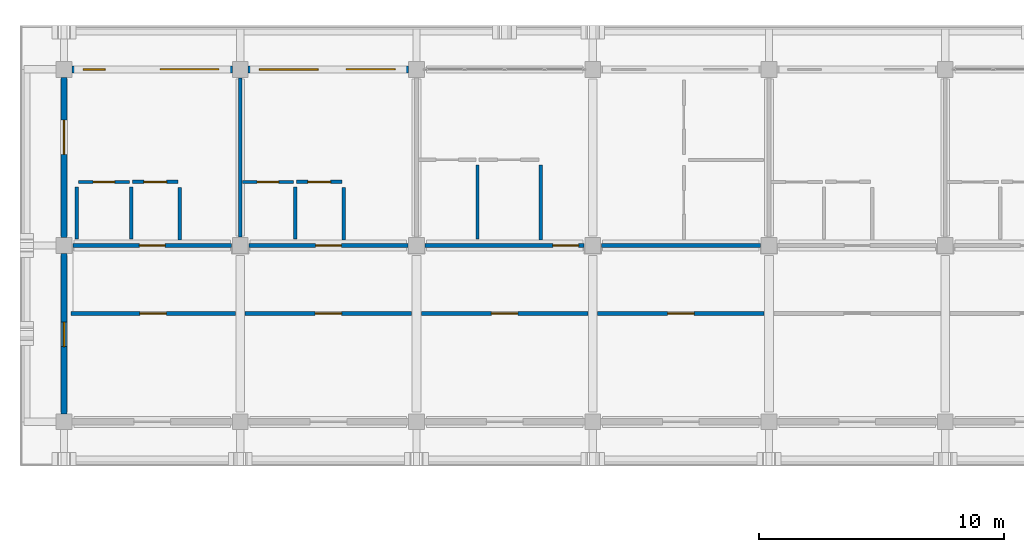
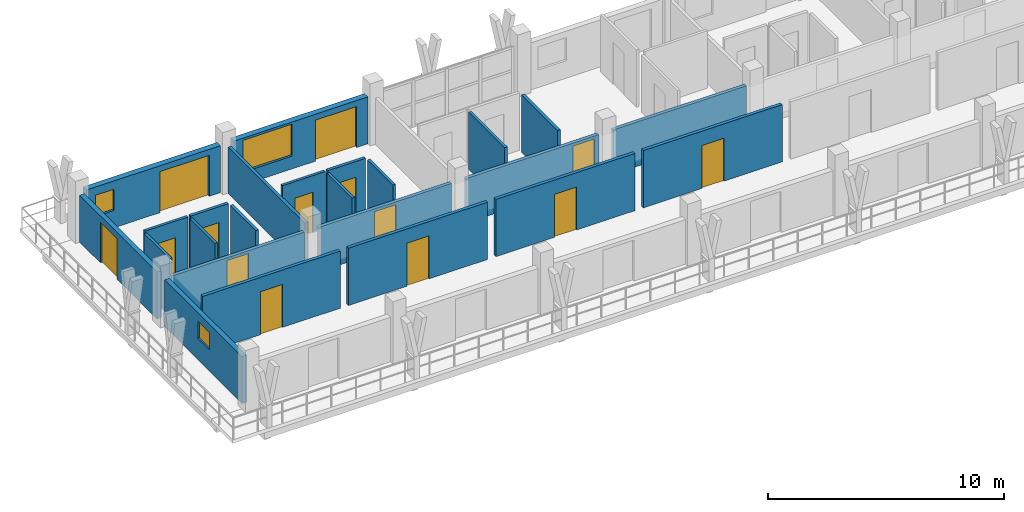
# One storey, part 120 of 157: 24 walls, 14 doors, 3 windows, 17 openings.
"""IFC4 building model written with IfcOpenShell, lengths in metres."""

import ifcopenshell
import ifcopenshell.guid

model = None  # the IFC model being written
_history = None  # IfcOwnerHistory: only IFC2X3 demands one
_inside = {}  # id of a spatial element -> (the spatial element, [elements in it])
_under = {}  # id of a project, library or spatial element -> (it, [spatial elements below it])
_declared = {}  # id of a project -> (the project, [libraries it declares])
_typed = {}  # id of a type object -> (the type object, [elements of that type])
_made_of = {}  # id of a material, layer set ... -> (it, [elements and type objects made of it])


def new_model(schema):
    """Start an empty IFC model of exactly this schema.

    Asked for "IFC4X3", IfcOpenShell would pick the latest addendum, in which some entities
    have other attributes; the version numbers below select the first issue.
    IFC2X3 requires an IfcOwnerHistory on every rooted entity: one is made here for all.
    """
    global model, _history
    if schema == "IFC4X3":
        model = ifcopenshell.file(schema_version=(4, 3, 0, 0))
    else:
        model = ifcopenshell.file(schema=schema)
    _inside.clear()
    _under.clear()
    _declared.clear()
    _typed.clear()
    _made_of.clear()
    _history = None
    if model.schema == "IFC2X3":
        org = make("IfcOrganization", Name="unknown")
        user = make(
            "IfcPersonAndOrganization",
            ThePerson=make("IfcPerson", FamilyName="unknown"),
            TheOrganization=org,
        )
        app = make(
            "IfcApplication",
            ApplicationDeveloper=org,
            Version="unknown",
            ApplicationFullName="unknown",
            ApplicationIdentifier="unknown",
        )
        _history = make(
            "IfcOwnerHistory",
            OwningUser=user,
            OwningApplication=app,
            ChangeAction="ADDED",
            CreationDate=0,
        )
    return model


def make(cls, **values):
    """One entity of the class cls with the attributes given. An attribute that is None is left unset."""
    return model.create_entity(
        cls, **{name: value for name, value in values.items() if value is not None}
    )


def rooted(cls, **values):
    """An entity with a GlobalId (a new one), such as an element, a storey or a relation."""
    return make(cls, GlobalId=ifcopenshell.guid.new(), OwnerHistory=_history, **values)


def si_unit(unit_type, name, prefix=None):
    """IfcSIUnit, for example si_unit("LENGTHUNIT", "METRE", prefix="MILLI")."""
    return make("IfcSIUnit", UnitType=unit_type, Prefix=prefix, Name=name)


def assignment(units):
    """IfcUnitAssignment: the units of a project."""
    return None if units is None else make("IfcUnitAssignment", Units=units)


def point(xyz):
    """IfcCartesianPoint."""
    return None if xyz is None else make("IfcCartesianPoint", Coordinates=xyz)


def direction(xyz):
    """IfcDirection."""
    return None if xyz is None else make("IfcDirection", DirectionRatios=xyz)


def frame(location, z_axis=None, x_axis=None):
    """IfcAxis2Placement3D, a coordinate frame: its origin and axes. An axis left out is left unset."""
    return make(
        "IfcAxis2Placement3D",
        Location=point(location),
        Axis=direction(z_axis),
        RefDirection=direction(x_axis),
    )


def frame_2d(location, x_axis=None):
    """IfcAxis2Placement2D, a coordinate frame in the plane: its origin and x axis."""
    return make(
        "IfcAxis2Placement2D", Location=point(location), RefDirection=direction(x_axis)
    )


def origin():
    """The frame at (0, 0, 0) with its axes left unset."""
    return frame((0.0, 0.0, 0.0))


def place(relative_to, where):
    """IfcLocalPlacement: puts the frame where relative to a parent placement (None: the world)."""
    return make(
        "IfcLocalPlacement", PlacementRelTo=relative_to, RelativePlacement=where
    )


def context(
    kind, dimensions, precision=None, world=None, true_north=None, identifier=None
):
    """IfcGeometricRepresentationContext, for example the 3D "Model" context."""
    return make(
        "IfcGeometricRepresentationContext",
        ContextIdentifier=identifier,
        ContextType=kind,
        CoordinateSpaceDimension=dimensions,
        Precision=precision,
        WorldCoordinateSystem=world,
        TrueNorth=true_north,
    )


def subcontext(parent, identifier, kind, view, scale=None):
    """IfcGeometricRepresentationSubContext, for example "Body" below "Model"."""
    return make(
        "IfcGeometricRepresentationSubContext",
        ContextIdentifier=identifier,
        ContextType=kind,
        ParentContext=parent,
        TargetScale=scale,
        TargetView=view,
    )


def project(units=None, contexts=None):
    """IfcProject with its units and contexts."""
    return rooted(
        "IfcProject",
        Name="project",
        RepresentationContexts=contexts,
        UnitsInContext=assignment(units),
    )


def spatial(cls, under=None, at=None, **own):
    """A site, building, storey or space (cls), placed at a placement, below another one or the project."""
    s = rooted(cls, ObjectPlacement=at, **own)
    if under is not None:
        _under.setdefault(under.id(), (under, []))[1].append(s)
    return s


def profile(cls, at=None, kind="AREA", **sizes):
    """A parametric profile (cls). Its sizes go by their IFC names, for example OverallWidth=200.0."""
    return make(cls, ProfileType=kind, Position=at, **sizes)


def rectangle(**sizes):
    """IfcRectangleProfileDef."""
    return profile("IfcRectangleProfileDef", **sizes)


def extrude(swept, where, along, depth):
    """IfcExtrudedAreaSolid: the profile swept, set in the frame where, extruded along a direction by depth."""
    return make(
        "IfcExtrudedAreaSolid",
        SweptArea=swept,
        Position=where,
        ExtrudedDirection=direction(along),
        Depth=depth,
    )


def shape(context_of_items, identifier, shape_type, items):
    """IfcShapeRepresentation: the items that make up one representation, for example the "Body"."""
    return make(
        "IfcShapeRepresentation",
        ContextOfItems=context_of_items,
        RepresentationIdentifier=identifier,
        RepresentationType=shape_type,
        Items=items,
    )


def material(Name=None, Category=None):
    """IfcMaterial."""
    return make("IfcMaterial", Name=Name, Category=Category)


def layer(
    of_material, thickness, ventilated=None, Name=None, Category=None, Priority=None
):
    """IfcMaterialLayer: one layer of a wall or slab, of a material (None: an air gap)."""
    return make(
        "IfcMaterialLayer",
        Material=of_material,
        LayerThickness=thickness,
        IsVentilated=ventilated,
        Name=Name,
        Category=Category,
        Priority=Priority,
    )


def layer_set(layers, Name=None):
    """IfcMaterialLayerSet."""
    return make("IfcMaterialLayerSet", MaterialLayers=layers, LayerSetName=Name)


def made_of(thing, what):
    """Note that an element or type object is made of a material, layer set ...; save() writes the relation."""
    if what is not None:
        _made_of.setdefault(what.id(), (what, []))[1].append(thing)
    return thing


def type_object(cls, material=None, **own):
    """A type object (cls), such as IfcWallType, which elements share."""
    return made_of(rooted(cls, **own), material)


def element(
    cls,
    number,
    at=None,
    inside=None,
    cuts=None,
    type_object=None,
    material=None,
    context=None,
    identifier="Body",
    shape_type=None,
    held_by="IfcProductDefinitionShape",
    body=None,
    shapes=None,
    **own,
):
    """One element of the class cls, such as IfcWall. Its Tag is "e" and its number.

    at: its placement. inside: the storey or other place that contains it. cuts: it is an
    opening in that element (IfcRelVoidsElement). A single representation is given by context,
    identifier, shape_type and body (its items); several are given by shapes. held_by: the class
    of the entity that holds the representations. save() writes the other relations.
    """
    e = rooted(cls, Tag="e%d" % number, ObjectPlacement=at, **own)
    if body is not None:
        shapes = [shape(context, identifier, shape_type, body)]
    if shapes is not None:
        e.Representation = make(held_by, Representations=shapes)
    if inside is not None:
        _inside.setdefault(inside.id(), (inside, []))[1].append(e)
    if cuts is not None:
        rooted(
            "IfcRelVoidsElement", RelatingBuildingElement=cuts, RelatedOpeningElement=e
        )
    if type_object is not None:
        _typed.setdefault(type_object.id(), (type_object, []))[1].append(e)
    return made_of(e, material)


def fill(opening, filler):
    """IfcRelFillsElement: the door or window that sits in an opening."""
    return rooted(
        "IfcRelFillsElement",
        RelatingOpeningElement=opening,
        RelatedBuildingElement=filler,
    )


def aggregate(whole, parts):
    """IfcRelAggregates: a whole, such as a stair, and the parts it consists of."""
    return rooted("IfcRelAggregates", RelatingObject=whole, RelatedObjects=parts)


def save(model, path):
    """Write the relations noted so far, then the file.

    IfcRelAggregates (storeys below a building ...), IfcRelContainedInSpatialStructure (elements
    in a storey), IfcRelDefinesByType, IfcRelAssociatesMaterial and IfcRelDeclares: one each for
    every whole, place, type object, material and project.
    """
    for whole, parts in _under.values():
        aggregate(whole, parts)
    for where, things in _inside.values():
        rooted(
            "IfcRelContainedInSpatialStructure",
            RelatedElements=things,
            RelatingStructure=where,
        )
    for kind, things in _typed.values():
        rooted("IfcRelDefinesByType", RelatedObjects=things, RelatingType=kind)
    for what, things in _made_of.values():
        rooted("IfcRelAssociatesMaterial", RelatedObjects=things, RelatingMaterial=what)
    for by, libraries in _declared.values():
        rooted("IfcRelDeclares", RelatingContext=by, RelatedDefinitions=libraries)
    model.write(path)


model = new_model("IFC4")

# Units and contexts
model_context = context("Model", 3, precision=1e-05, world=origin(), true_north=direction((0.0, 1.0)))
body_context = subcontext(model_context, "Body", "Model", "MODEL_VIEW")
ifc_project = project(units=[si_unit("LENGTHUNIT", "METRE"), si_unit("AREAUNIT", "SQUARE_METRE"), si_unit("VOLUMEUNIT", "CUBIC_METRE"), si_unit("PLANEANGLEUNIT", "RADIAN"), si_unit("MASSUNIT", "GRAM", prefix="KILO")], contexts=[model_context])

# Site, building, storey
site_placement = place(None, origin())
site = spatial("IfcSite", under=ifc_project, at=site_placement, CompositionType="ELEMENT")
building_placement = place(site_placement, origin())
building = spatial("IfcBuilding", under=site, at=building_placement, Name="Suanplinth Sawtooth Commons", CompositionType="ELEMENT")
storey_placement = place(building_placement, frame((0.0, 0.0, 9.0)))
storey = spatial("IfcBuildingStorey", under=building, at=storey_placement, Name="L02", CompositionType="ELEMENT", Elevation=9.0)

# Wall, openings, door, window
ifc_material_1 = material(Name="Precast concrete C40/50", Category="concrete")
ifc_layer_1 = layer(ifc_material_1, 0.280029296875, Name="Insulated precast architectural facade wall 280mm")
ifc_layer_set_1 = layer_set([ifc_layer_1], Name="Precast concrete C40/50")
wall_type_1 = type_object("IfcWallType", Name="W-EX01", PredefinedType="ELEMENTEDWALL", material=ifc_layer_set_1)
wall_1_placement = place(storey_placement, frame((0.324951171875, 122.39990234375, 0.0), z_axis=(0.0, 0.0, 1.0), x_axis=(1.0, 0.0, 0.0)))
wall_1 = element("IfcWall", 1, at=wall_1_placement, inside=storey, type_object=wall_type_1, Name="Facade Wall W-L02-A-N-0", PredefinedType="ELEMENTEDWALL", context=body_context, shape_type="SweptSolid", body=[
    extrude(rectangle(XDim=6.550048828125, YDim=0.280029296875, at=frame_2d((3.27490234375, 0.0))), origin(), (0.0, 0.0, 1.0), 2.425048828125),
])
opening_1_placement = place(wall_1_placement, frame((3.60009765625, 0.0, 0.0)))
opening_1 = element("IfcOpeningElement", 2, at=opening_1_placement, cuts=wall_1, Name="Opening ED0129", PredefinedType="OPENING", context=body_context, shape_type="SweptSolid", body=[
    extrude(rectangle(XDim=2.39990234375, YDim=2.1201171875, at=frame_2d((1.199951171875, 1.06005859375))), frame((0.0, 0.15478515625, 0.0), z_axis=(0.0, -1.0, 0.0), x_axis=(1.0, 0.0, 0.0)), (0.0, 0.0, 1.0), 0.309814453125),
])
opening_2_placement = place(wall_1_placement, frame((0.449951171875, 0.0, 0.89990234375)))
opening_2 = element("IfcOpeningElement", 3, at=opening_2_placement, cuts=wall_1, Name="Opening W0250", PredefinedType="OPENING", context=body_context, shape_type="SweptSolid", body=[
    extrude(rectangle(XDim=0.89990234375, YDim=1.10009765625, at=frame_2d((0.449951171875, 0.550048828125))), frame((0.0, 0.15478515625, 0.0), z_axis=(0.0, -1.0, 0.0), x_axis=(1.0, 0.0, 0.0)), (0.0, 0.0, 1.0), 0.309814453125),
])
ifc_material_2 = material(Name="Anodized aluminium and low-E glass", Category="aluminium")
door_type_1 = type_object("IfcDoorType", Name="SD-04", OperationType="DOUBLE_DOOR_SLIDING", PredefinedType="DOOR", material=ifc_material_2)
door_1_placement = place(opening_1_placement, frame((2.39990234375, 0.0, 0.0), z_axis=(0.0, 0.0, 1.0), x_axis=(-1.0, 0.0, 0.0)))
door_1 = element("IfcDoor", 4, at=door_1_placement, inside=storey, type_object=door_type_1, Name="Balcony Sliding Door L02-A-N-0", OperationType="DOUBLE_DOOR_SLIDING", OverallHeight=2.1201171875, OverallWidth=2.39990234375, PredefinedType="DOOR", context=body_context, shape_type="SweptSolid", body=[
    extrude(rectangle(XDim=2.39990234375, YDim=2.1201171875, at=frame_2d((1.199951171875, 1.06005859375))), frame((0.0, 0.02490234375, 0.0), z_axis=(0.0, -1.0, 0.0), x_axis=(1.0, 0.0, 0.0)), (0.0, 0.0, 1.0), 0.050048828125),
])
fill(opening_1, door_1)
ifc_material_3 = material(Name="Thermally broken aluminium and low-E double glazing", Category="aluminium")
window_type_1 = type_object("IfcWindowType", Name="WN-04", PartitioningType="SINGLE_PANEL", PredefinedType="WINDOW", material=ifc_material_3)
window_1_placement = place(opening_2_placement, origin())
window_1 = element("IfcWindow", 5, at=window_1_placement, inside=storey, type_object=window_type_1, Name="Window L02-A-N-0", OverallHeight=1.10009765625, OverallWidth=0.89990234375, PartitioningType="SINGLE_PANEL", PredefinedType="WINDOW", context=body_context, shape_type="SweptSolid", body=[
    extrude(rectangle(XDim=0.89990234375, YDim=1.10009765625, at=frame_2d((0.449951171875, 0.550048828125))), frame((0.0, 0.030029296875, 0.0), z_axis=(0.0, -1.0, 0.0), x_axis=(1.0, 0.0, 0.0)), (0.0, 0.0, 1.0), 0.06005859375),
])
fill(opening_2, window_1)

wall_2_placement = place(storey_placement, frame((7.52490234375, 122.39990234375, 0.0), z_axis=(0.0, 0.0, 1.0), x_axis=(1.0, 0.0, 0.0)))
wall_2 = element("IfcWall", 6, at=wall_2_placement, inside=storey, type_object=wall_type_1, Name="Facade Wall W-L02-A-N-1", PredefinedType="ELEMENTEDWALL", context=body_context, shape_type="SweptSolid", body=[
    extrude(rectangle(XDim=6.550048828125, YDim=0.280029296875, at=frame_2d((3.27490234375, 0.0))), origin(), (0.0, 0.0, 1.0), 2.425048828125),
])
opening_3_placement = place(wall_2_placement, frame((4.0, 0.0, 0.0)))
opening_3 = element("IfcOpeningElement", 7, at=opening_3_placement, cuts=wall_2, Name="Opening ED0131", PredefinedType="OPENING", context=body_context, shape_type="SweptSolid", body=[
    extrude(rectangle(XDim=2.0, YDim=2.1201171875, at=frame_2d((1.0, 1.06005859375))), frame((0.0, 0.15478515625, 0.0), z_axis=(0.0, -1.0, 0.0), x_axis=(1.0, 0.0, 0.0)), (0.0, 0.0, 1.0), 0.309814453125),
])
opening_4_placement = place(wall_2_placement, frame((0.449951171875, 0.0, 0.6650390625)))
opening_4 = element("IfcOpeningElement", 8, at=opening_4_placement, cuts=wall_2, Name="Opening W0251", PredefinedType="OPENING", context=body_context, shape_type="SweptSolid", body=[
    extrude(rectangle(XDim=2.39990234375, YDim=1.64990234375, at=frame_2d((1.199951171875, 0.824951171875))), frame((0.0, 0.15478515625, 0.0), z_axis=(0.0, -1.0, 0.0), x_axis=(1.0, 0.0, 0.0)), (0.0, 0.0, 1.0), 0.309814453125),
])
door_type_2 = type_object("IfcDoorType", Name="SD-06", OperationType="DOUBLE_DOOR_SLIDING", PredefinedType="DOOR", material=ifc_material_2)
door_2_placement = place(opening_3_placement, frame((2.0, 0.0, 0.0), z_axis=(0.0, 0.0, 1.0), x_axis=(-1.0, 0.0, 0.0)))
door_2 = element("IfcDoor", 9, at=door_2_placement, inside=storey, type_object=door_type_2, Name="Balcony Sliding Door L02-A-N-1", OperationType="DOUBLE_DOOR_SLIDING", OverallHeight=2.1201171875, OverallWidth=2.0, PredefinedType="DOOR", context=body_context, shape_type="SweptSolid", body=[
    extrude(rectangle(XDim=2.0, YDim=2.1201171875, at=frame_2d((1.0, 1.06005859375))), frame((0.0, 0.02490234375, 0.0), z_axis=(0.0, -1.0, 0.0), x_axis=(1.0, 0.0, 0.0)), (0.0, 0.0, 1.0), 0.050048828125),
])
fill(opening_3, door_2)
window_type_2 = type_object("IfcWindowType", Name="WN-05", PartitioningType="TRIPLE_PANEL_VERTICAL", PredefinedType="WINDOW", material=ifc_material_3)
window_2_placement = place(opening_4_placement, origin())
window_2 = element("IfcWindow", 10, at=window_2_placement, inside=storey, type_object=window_type_2, Name="Window L02-A-N-1", OverallHeight=1.64990234375, OverallWidth=2.39990234375, PartitioningType="TRIPLE_PANEL_VERTICAL", PredefinedType="WINDOW", context=body_context, shape_type="SweptSolid", body=[
    extrude(rectangle(XDim=2.39990234375, YDim=1.64990234375, at=frame_2d((1.199951171875, 0.824951171875))), frame((0.0, 0.030029296875, 0.0), z_axis=(0.0, -1.0, 0.0), x_axis=(1.0, 0.0, 0.0)), (0.0, 0.0, 1.0), 0.06005859375),
])
fill(opening_4, window_2)

# Wall, opening, window
ifc_layer_2 = layer(ifc_material_1, 0.22998046875, Name="Stepped terrace insulated precast wall 230mm")
ifc_layer_set_2 = layer_set([ifc_layer_2], Name="Precast concrete C40/50")
wall_type_2 = type_object("IfcWallType", Name="W-EX06", PredefinedType="ELEMENTEDWALL", material=ifc_layer_set_2)
wall_3_placement = place(storey_placement, frame((0.0, 108.324951171875, 0.0), z_axis=(0.0, 0.0, 1.0), x_axis=(0.0, 1.0, 0.0)))
wall_3 = element("IfcWall", 11, at=wall_3_placement, inside=storey, type_object=wall_type_2, Name="End Wall W-L02-A-W-15", PredefinedType="ELEMENTEDWALL", context=body_context, shape_type="SweptSolid", body=[
    extrude(rectangle(XDim=6.550048828125, YDim=0.22998046875, at=frame_2d((3.27490234375, 0.0))), origin(), (0.0, 0.0, 1.0), 2.425048828125),
])
opening_5_placement = place(wall_3_placement, frame((2.75, 0.0, 1.10009765625)))
opening_5 = element("IfcOpeningElement", 12, at=opening_5_placement, cuts=wall_3, Name="Opening W0266", PredefinedType="OPENING", context=body_context, shape_type="SweptSolid", body=[
    extrude(rectangle(XDim=1.0, YDim=0.89990234375, at=frame_2d((0.5, 0.449951171875))), frame((0.0, 0.1298828125, 0.0), z_axis=(0.0, -1.0, 0.0), x_axis=(1.0, 0.0, 0.0)), (0.0, 0.0, 1.0), 0.259765625),
])
window_type_3 = type_object("IfcWindowType", Name="WN-12", PartitioningType="SINGLE_PANEL", PredefinedType="WINDOW", material=ifc_material_3)
window_3_placement = place(opening_5_placement, origin())
window_3 = element("IfcWindow", 13, at=window_3_placement, inside=storey, type_object=window_type_3, Name="End Window L02-A-W-15", OverallHeight=0.89990234375, OverallWidth=1.0, PartitioningType="SINGLE_PANEL", PredefinedType="WINDOW", context=body_context, shape_type="SweptSolid", body=[
    extrude(rectangle(XDim=1.0, YDim=0.89990234375, at=frame_2d((0.5, 0.449951171875))), frame((0.0, 0.030029296875, 0.0), z_axis=(0.0, -1.0, 0.0), x_axis=(1.0, 0.0, 0.0)), (0.0, 0.0, 1.0), 0.06005859375),
])
fill(opening_5, window_3)

# Wall, opening, door
wall_4_placement = place(storey_placement, frame((0.0, 115.52490234375, 0.0), z_axis=(0.0, 0.0, 1.0), x_axis=(0.0, 1.0, 0.0)))
wall_4 = element("IfcWall", 14, at=wall_4_placement, inside=storey, type_object=wall_type_2, Name="End Wall W-L02-A-W-16", PredefinedType="ELEMENTEDWALL", context=body_context, shape_type="SweptSolid", body=[
    extrude(rectangle(XDim=6.550048828125, YDim=0.22998046875, at=frame_2d((3.27490234375, 0.0))), origin(), (0.0, 0.0, 1.0), 2.425048828125),
])
opening_6_placement = place(wall_4_placement, frame((3.39990234375, 0.0, 0.0)))
opening_6 = element("IfcOpeningElement", 15, at=opening_6_placement, cuts=wall_4, Name="Opening ED0153", PredefinedType="OPENING", context=body_context, shape_type="SweptSolid", body=[
    extrude(rectangle(XDim=1.39990234375, YDim=2.10009765625, at=frame_2d((0.699951171875, 1.050048828125))), frame((0.0, 0.1298828125, 0.0), z_axis=(0.0, -1.0, 0.0), x_axis=(1.0, 0.0, 0.0)), (0.0, 0.0, 1.0), 0.259765625),
])
door_type_3 = type_object("IfcDoorType", Name="SD-07", OperationType="SLIDING_TO_RIGHT", PredefinedType="DOOR", material=ifc_material_2)
door_3_placement = place(opening_6_placement, frame((1.39990234375, 0.0, 0.0), z_axis=(0.0, 0.0, 1.0), x_axis=(-1.0, 0.0, 0.0)))
door_3 = element("IfcDoor", 16, at=door_3_placement, inside=storey, type_object=door_type_3, Name="L02 Block A W End Balcony Door", OperationType="SLIDING_TO_RIGHT", OverallHeight=2.10009765625, OverallWidth=1.39990234375, PredefinedType="DOOR", context=body_context, shape_type="SweptSolid", body=[
    extrude(rectangle(XDim=1.39990234375, YDim=2.10009765625, at=frame_2d((0.699951171875, 1.050048828125))), frame((0.0, 0.02490234375, 0.0), z_axis=(0.0, -1.0, 0.0), x_axis=(1.0, 0.0, 0.0)), (0.0, 0.0, 1.0), 0.050048828125),
])
fill(opening_6, door_3)

ifc_layer_3 = layer(ifc_material_1, 0.159912109375, Name="Fire-rated corridor and lobby wall 160mm")
ifc_layer_set_3 = layer_set([ifc_layer_3], Name="Precast concrete C40/50")
wall_type_3 = type_object("IfcWallType", Name="W-FW01", PredefinedType="PARTITIONING", material=ifc_layer_set_3)
wall_5_placement = place(storey_placement, frame((0.35498046875, 115.199951171875, 0.0), z_axis=(0.0, 0.0, 1.0), x_axis=(1.0, 0.0, 0.0)))
wall_5 = element("IfcWall", 17, at=wall_5_placement, inside=storey, type_object=wall_type_3, Name="W-A-L02-U01-COR", PredefinedType="PARTITIONING", context=body_context, shape_type="SweptSolid", body=[
    extrude(rectangle(XDim=6.489990234375, YDim=0.159912109375, at=frame_2d((3.2451171875, 0.0))), origin(), (0.0, 0.0, 1.0), 2.294921875),
])
opening_7_placement = place(wall_5_placement, frame((2.719970703125, 0.0, 0.0)))
opening_7 = element("IfcOpeningElement", 18, at=opening_7_placement, cuts=wall_5, Name="Opening FD0688", PredefinedType="OPENING", context=body_context, shape_type="SweptSolid", body=[
    extrude(rectangle(XDim=1.050048828125, YDim=2.14990234375, at=frame_2d((0.52490234375, 1.074951171875))), frame((0.0, 0.0947265625, 0.0), z_axis=(0.0, -1.0, 0.0), x_axis=(1.0, 0.0, 0.0)), (0.0, 0.0, 1.0), 0.189697265625),
])
ifc_material_4 = material(Name="Teak hardwood fire-rated door assembly", Category="wood")
door_type_4 = type_object("IfcDoorType", Name="FD-04", OperationType="NOTDEFINED", PredefinedType="DOOR", material=ifc_material_4)
door_4_placement = place(opening_7_placement, origin())
door_4 = element("IfcDoor", 19, at=door_4_placement, inside=storey, type_object=door_type_4, Name="Unit Entrance Door FD0688", OperationType="SINGLE_SWING_RIGHT", OverallHeight=2.14990234375, OverallWidth=1.050048828125, PredefinedType="DOOR", context=body_context, shape_type="SweptSolid", body=[
    extrude(rectangle(XDim=1.050048828125, YDim=2.14990234375, at=frame_2d((0.52490234375, 1.074951171875))), frame((0.0, 0.02490234375, 0.0), z_axis=(0.0, -1.0, 0.0), x_axis=(1.0, 0.0, 0.0)), (0.0, 0.0, 1.0), 0.050048828125),
])
fill(opening_7, door_4)

wall_6_placement = place(storey_placement, frame((7.554931640625, 115.199951171875, 0.0), z_axis=(0.0, 0.0, 1.0), x_axis=(1.0, 0.0, 0.0)))
wall_6 = element("IfcWall", 20, at=wall_6_placement, inside=storey, type_object=wall_type_3, Name="W-A-L02-U02-COR", PredefinedType="PARTITIONING", context=body_context, shape_type="SweptSolid", body=[
    extrude(rectangle(XDim=6.489990234375, YDim=0.159912109375, at=frame_2d((3.2451171875, 0.0))), origin(), (0.0, 0.0, 1.0), 2.294921875),
])
opening_8_placement = place(wall_6_placement, frame((2.719970703125, 0.0, 0.0)))
opening_8 = element("IfcOpeningElement", 21, at=opening_8_placement, cuts=wall_6, Name="Opening FD0691", PredefinedType="OPENING", context=body_context, shape_type="SweptSolid", body=[
    extrude(rectangle(XDim=1.050048828125, YDim=2.14990234375, at=frame_2d((0.52490234375, 1.074951171875))), frame((0.0, 0.0947265625, 0.0), z_axis=(0.0, -1.0, 0.0), x_axis=(1.0, 0.0, 0.0)), (0.0, 0.0, 1.0), 0.189697265625),
])
door_5_placement = place(opening_8_placement, origin())
door_5 = element("IfcDoor", 22, at=door_5_placement, inside=storey, type_object=door_type_4, Name="Unit Entrance Door FD0691", OperationType="SINGLE_SWING_LEFT", OverallHeight=2.14990234375, OverallWidth=1.050048828125, PredefinedType="DOOR", context=body_context, shape_type="SweptSolid", body=[
    extrude(rectangle(XDim=1.050048828125, YDim=2.14990234375, at=frame_2d((0.52490234375, 1.074951171875))), frame((0.0, 0.02490234375, 0.0), z_axis=(0.0, -1.0, 0.0), x_axis=(1.0, 0.0, 0.0)), (0.0, 0.0, 1.0), 0.050048828125),
])
fill(opening_8, door_5)

wall_7_placement = place(storey_placement, frame((14.7548828125, 115.199951171875, 0.0), z_axis=(0.0, 0.0, 1.0), x_axis=(1.0, 0.0, 0.0)))
wall_7 = element("IfcWall", 23, at=wall_7_placement, inside=storey, type_object=wall_type_3, Name="W-A-L02-U03-COR-S1", PredefinedType="PARTITIONING", context=body_context, shape_type="SweptSolid", body=[
    extrude(rectangle(XDim=6.490234375, YDim=0.159912109375, at=frame_2d((3.2451171875, 0.0))), origin(), (0.0, 0.0, 1.0), 2.294921875),
])
opening_9_placement = place(wall_7_placement, frame((5.219970703125, 0.0, 0.0)))
opening_9 = element("IfcOpeningElement", 24, at=opening_9_placement, cuts=wall_7, Name="Opening FD0694", PredefinedType="OPENING", context=body_context, shape_type="SweptSolid", body=[
    extrude(rectangle(XDim=1.050048828125, YDim=2.14990234375, at=frame_2d((0.52490234375, 1.074951171875))), frame((0.0, 0.0947265625, 0.0), z_axis=(0.0, -1.0, 0.0), x_axis=(1.0, 0.0, 0.0)), (0.0, 0.0, 1.0), 0.189697265625),
])
door_6_placement = place(opening_9_placement, origin())
door_6 = element("IfcDoor", 25, at=door_6_placement, inside=storey, type_object=door_type_4, Name="Unit Entrance Door FD0694", OperationType="SINGLE_SWING_RIGHT", OverallHeight=2.14990234375, OverallWidth=1.050048828125, PredefinedType="DOOR", context=body_context, shape_type="SweptSolid", body=[
    extrude(rectangle(XDim=1.050048828125, YDim=2.14990234375, at=frame_2d((0.52490234375, 1.074951171875))), frame((0.0, 0.02490234375, 0.0), z_axis=(0.0, -1.0, 0.0), x_axis=(1.0, 0.0, 0.0)), (0.0, 0.0, 1.0), 0.050048828125),
])
fill(opening_9, door_6)

# Wall
wall_8_placement = place(storey_placement, frame((21.955078125, 115.199951171875, 0.0), z_axis=(0.0, 0.0, 1.0), x_axis=(1.0, 0.0, 0.0)))
element("IfcWall", 26, at=wall_8_placement, inside=storey, type_object=wall_type_3, Name="W-A-L02-U03-COR-S2", PredefinedType="PARTITIONING", context=body_context, shape_type="SweptSolid", body=[
    extrude(rectangle(XDim=6.489990234375, YDim=0.159912109375, at=frame_2d((3.2451171875, 0.0))), origin(), (0.0, 0.0, 1.0), 2.294921875),
])

# Wall, opening, door
wall_9_placement = place(storey_placement, frame((0.280029296875, 112.419921875, 0.0), z_axis=(0.0, 0.0, 1.0), x_axis=(1.0, 0.0, 0.0)))
wall_9 = element("IfcWall", 27, at=wall_9_placement, inside=storey, type_object=wall_type_3, Name="W-A-L02-COURTROOM-13-COR", PredefinedType="PARTITIONING", context=body_context, shape_type="SweptSolid", body=[
    extrude(rectangle(XDim=6.719970703125, YDim=0.159912109375, at=frame_2d((3.35986328125, 0.0))), origin(), (0.0, 0.0, 1.0), 2.9599609375),
])
opening_10_placement = place(wall_9_placement, frame((2.820068359375, 0.0, 0.0)))
opening_10 = element("IfcOpeningElement", 28, at=opening_10_placement, cuts=wall_9, Name="Opening D0733", PredefinedType="OPENING", context=body_context, shape_type="SweptSolid", body=[
    extrude(rectangle(XDim=1.080078125, YDim=2.219970703125, at=frame_2d((0.5400390625, 1.10986328125))), frame((0.0, 0.0947265625, 0.0), z_axis=(0.0, -1.0, 0.0), x_axis=(1.0, 0.0, 0.0)), (0.0, 0.0, 1.0), 0.189697265625),
])
ifc_material_5 = material(Name="Teak hardwood", Category="wood")
door_type_5 = type_object("IfcDoorType", Name="D-17", OperationType="NOTDEFINED", PredefinedType="DOOR", material=ifc_material_5)
door_7_placement = place(opening_10_placement, frame((1.080078125, 0.0, 0.0), z_axis=(0.0, 0.0, 1.0), x_axis=(-1.0, 0.0, 0.0)))
door_7 = element("IfcDoor", 29, at=door_7_placement, inside=storey, type_object=door_type_5, Name="Study Studio Door D0733", OperationType="SINGLE_SWING_LEFT", OverallHeight=2.219970703125, OverallWidth=1.080078125, PredefinedType="DOOR", context=body_context, shape_type="SweptSolid", body=[
    extrude(rectangle(XDim=1.080078125, YDim=2.219970703125, at=frame_2d((0.5400390625, 1.10986328125))), frame((0.0, 0.02490234375, 0.0), z_axis=(0.0, -1.0, 0.0), x_axis=(1.0, 0.0, 0.0)), (0.0, 0.0, 1.0), 0.050048828125),
])
fill(opening_10, door_7)

wall_10_placement = place(storey_placement, frame((7.39990234375, 112.419921875, 0.0), z_axis=(0.0, 0.0, 1.0), x_axis=(1.0, 0.0, 0.0)))
wall_10 = element("IfcWall", 30, at=wall_10_placement, inside=storey, type_object=wall_type_3, Name="W-A-L02-COURTROOM-14-COR", PredefinedType="PARTITIONING", context=body_context, shape_type="SweptSolid", body=[
    extrude(rectangle(XDim=6.800048828125, YDim=0.159912109375, at=frame_2d((3.39990234375, 0.0))), origin(), (0.0, 0.0, 1.0), 2.9599609375),
])
opening_11_placement = place(wall_10_placement, frame((2.860107421875, 0.0, 0.0)))
opening_11 = element("IfcOpeningElement", 31, at=opening_11_placement, cuts=wall_10, Name="Opening D0734", PredefinedType="OPENING", context=body_context, shape_type="SweptSolid", body=[
    extrude(rectangle(XDim=1.080078125, YDim=2.219970703125, at=frame_2d((0.5400390625, 1.10986328125))), frame((0.0, 0.0947265625, 0.0), z_axis=(0.0, -1.0, 0.0), x_axis=(1.0, 0.0, 0.0)), (0.0, 0.0, 1.0), 0.189697265625),
])
door_8_placement = place(opening_11_placement, frame((1.080078125, 0.0, 0.0), z_axis=(0.0, 0.0, 1.0), x_axis=(-1.0, 0.0, 0.0)))
door_8 = element("IfcDoor", 32, at=door_8_placement, inside=storey, type_object=door_type_5, Name="Study Studio Door D0734", OperationType="SINGLE_SWING_RIGHT", OverallHeight=2.219970703125, OverallWidth=1.080078125, PredefinedType="DOOR", context=body_context, shape_type="SweptSolid", body=[
    extrude(rectangle(XDim=1.080078125, YDim=2.219970703125, at=frame_2d((0.5400390625, 1.10986328125))), frame((0.0, 0.02490234375, 0.0), z_axis=(0.0, -1.0, 0.0), x_axis=(1.0, 0.0, 0.0)), (0.0, 0.0, 1.0), 0.050048828125),
])
fill(opening_11, door_8)

wall_11_placement = place(storey_placement, frame((14.60009765625, 112.419921875, 0.0), z_axis=(0.0, 0.0, 1.0), x_axis=(1.0, 0.0, 0.0)))
wall_11 = element("IfcWall", 33, at=wall_11_placement, inside=storey, type_object=wall_type_3, Name="W-A-L02-COURTROOM-15-COR", PredefinedType="PARTITIONING", context=body_context, shape_type="SweptSolid", body=[
    extrude(rectangle(XDim=6.7998046875, YDim=0.159912109375, at=frame_2d((3.39990234375, 0.0))), origin(), (0.0, 0.0, 1.0), 2.9599609375),
])
opening_12_placement = place(wall_11_placement, frame((2.860107421875, 0.0, 0.0)))
opening_12 = element("IfcOpeningElement", 34, at=opening_12_placement, cuts=wall_11, Name="Opening D0735", PredefinedType="OPENING", context=body_context, shape_type="SweptSolid", body=[
    extrude(rectangle(XDim=1.080078125, YDim=2.219970703125, at=frame_2d((0.5400390625, 1.10986328125))), frame((0.0, 0.0947265625, 0.0), z_axis=(0.0, -1.0, 0.0), x_axis=(1.0, 0.0, 0.0)), (0.0, 0.0, 1.0), 0.189697265625),
])
door_9_placement = place(opening_12_placement, frame((1.080078125, 0.0, 0.0), z_axis=(0.0, 0.0, 1.0), x_axis=(-1.0, 0.0, 0.0)))
door_9 = element("IfcDoor", 35, at=door_9_placement, inside=storey, type_object=door_type_5, Name="Study Studio Door D0735", OperationType="SINGLE_SWING_LEFT", OverallHeight=2.219970703125, OverallWidth=1.080078125, PredefinedType="DOOR", context=body_context, shape_type="SweptSolid", body=[
    extrude(rectangle(XDim=1.080078125, YDim=2.219970703125, at=frame_2d((0.5400390625, 1.10986328125))), frame((0.0, 0.02490234375, 0.0), z_axis=(0.0, -1.0, 0.0), x_axis=(1.0, 0.0, 0.0)), (0.0, 0.0, 1.0), 0.050048828125),
])
fill(opening_12, door_9)

wall_12_placement = place(storey_placement, frame((21.800048828125, 112.419921875, 0.0), z_axis=(0.0, 0.0, 1.0), x_axis=(1.0, 0.0, 0.0)))
wall_12 = element("IfcWall", 36, at=wall_12_placement, inside=storey, type_object=wall_type_3, Name="W-A-L02-COURTROOM-16-COR", PredefinedType="PARTITIONING", context=body_context, shape_type="SweptSolid", body=[
    extrude(rectangle(XDim=6.800048828125, YDim=0.159912109375, at=frame_2d((3.39990234375, 0.0))), origin(), (0.0, 0.0, 1.0), 2.9599609375),
])
opening_13_placement = place(wall_12_placement, frame((2.860107421875, 0.0, 0.0)))
opening_13 = element("IfcOpeningElement", 37, at=opening_13_placement, cuts=wall_12, Name="Opening D0736", PredefinedType="OPENING", context=body_context, shape_type="SweptSolid", body=[
    extrude(rectangle(XDim=1.080078125, YDim=2.219970703125, at=frame_2d((0.5400390625, 1.10986328125))), frame((0.0, 0.0947265625, 0.0), z_axis=(0.0, -1.0, 0.0), x_axis=(1.0, 0.0, 0.0)), (0.0, 0.0, 1.0), 0.189697265625),
])
door_10_placement = place(opening_13_placement, frame((1.080078125, 0.0, 0.0), z_axis=(0.0, 0.0, 1.0), x_axis=(-1.0, 0.0, 0.0)))
door_10 = element("IfcDoor", 38, at=door_10_placement, inside=storey, type_object=door_type_5, Name="Study Studio Door D0736", OperationType="SINGLE_SWING_RIGHT", OverallHeight=2.219970703125, OverallWidth=1.080078125, PredefinedType="DOOR", context=body_context, shape_type="SweptSolid", body=[
    extrude(rectangle(XDim=1.080078125, YDim=2.219970703125, at=frame_2d((0.5400390625, 1.10986328125))), frame((0.0, 0.02490234375, 0.0), z_axis=(0.0, -1.0, 0.0), x_axis=(1.0, 0.0, 0.0)), (0.0, 0.0, 1.0), 0.050048828125),
])
fill(opening_13, door_10)

# Wall
ifc_layer_4 = layer(ifc_material_1, 0.14990234375, Name="Acoustic precast party demising wall 150mm")
ifc_layer_set_4 = layer_set([ifc_layer_4], Name="Precast concrete C40/50")
wall_type_4 = type_object("IfcWallType", Name="W-FW02", PredefinedType="PARTITIONING", material=ifc_layer_set_4)
wall_13_placement = place(storey_placement, frame((7.199951171875, 115.554931640625, 0.0), z_axis=(0.0, 0.0, 1.0), x_axis=(0.0, 1.0, 0.0)))
element("IfcWall", 39, at=wall_13_placement, inside=storey, type_object=wall_type_4, Name="W-A-L02-U01-PTY", PredefinedType="PARTITIONING", context=body_context, shape_type="SweptSolid", body=[
    extrude(rectangle(XDim=6.489990234375, YDim=0.14990234375, at=frame_2d((3.2451171875, 0.0))), origin(), (0.0, 0.0, 1.0), 2.39501953125),
])

# Wall, opening, door
ifc_material_6 = material(Name="Gypsum plasterboard on steel stud", Category="steel")
ifc_layer_5 = layer(ifc_material_6, 0.139892578125, Name="Fire-rated kitchen partition 140mm")
ifc_layer_set_5 = layer_set([ifc_layer_5], Name="Gypsum plasterboard on steel stud")
wall_type_5 = type_object("IfcWallType", Name="W-PT01", PredefinedType="PARTITIONING", material=ifc_layer_set_5)
wall_14_placement = place(storey_placement, frame((2.800048828125, 117.800048828125, 0.0), z_axis=(0.0, 0.0, 1.0), x_axis=(1.0, 0.0, 0.0)))
wall_14 = element("IfcWall", 40, at=wall_14_placement, inside=storey, type_object=wall_type_5, Name="W-A-L02-U01-KIT1", PredefinedType="PARTITIONING", context=body_context, shape_type="SweptSolid", body=[
    extrude(rectangle(XDim=1.849853515625, YDim=0.139892578125, at=frame_2d((0.9248046875, 0.0))), origin(), (0.0, 0.0, 1.0), 2.9599609375),
])
opening_14_placement = place(wall_14_placement, frame((0.4599609375, 0.0, 0.0)))
opening_14 = element("IfcOpeningElement", 41, at=opening_14_placement, cuts=wall_14, Name="Opening D0690", PredefinedType="OPENING", context=body_context, shape_type="SweptSolid", body=[
    extrude(rectangle(XDim=0.929931640625, YDim=2.139892578125, at=frame_2d((0.46484375, 1.06982421875))), frame((0.0, 0.0849609375, 0.0), z_axis=(0.0, -1.0, 0.0), x_axis=(1.0, 0.0, 0.0)), (0.0, 0.0, 1.0), 0.169677734375),
])
door_type_6 = type_object("IfcDoorType", Name="D-19", OperationType="NOTDEFINED", PredefinedType="DOOR", material=ifc_material_5)
door_11_placement = place(opening_14_placement, frame((0.929931640625, 0.0, 0.0), z_axis=(0.0, 0.0, 1.0), x_axis=(-1.0, 0.0, 0.0)))
door_11 = element("IfcDoor", 42, at=door_11_placement, inside=storey, type_object=door_type_6, Name="Kitchen Door D0690", OperationType="SINGLE_SWING_RIGHT", OverallHeight=2.139892578125, OverallWidth=0.929931640625, PredefinedType="DOOR", context=body_context, shape_type="SweptSolid", body=[
    extrude(rectangle(XDim=0.929931640625, YDim=2.139892578125, at=frame_2d((0.46484375, 1.06982421875))), frame((0.0, 0.02490234375, 0.0), z_axis=(0.0, -1.0, 0.0), x_axis=(1.0, 0.0, 0.0)), (0.0, 0.0, 1.0), 0.050048828125),
])
fill(opening_14, door_11)

# Wall
wall_15_placement = place(storey_placement, frame((4.719970703125, 115.429931640625, 0.0), z_axis=(0.0, 0.0, 1.0), x_axis=(0.0, 1.0, 0.0)))
element("IfcWall", 43, at=wall_15_placement, inside=storey, type_object=wall_type_5, Name="W-A-L02-U01-KIT2", PredefinedType="PARTITIONING", context=body_context, shape_type="SweptSolid", body=[
    extrude(rectangle(XDim=2.150146484375, YDim=0.139892578125, at=frame_2d((1.0751953125, 0.0))), origin(), (0.0, 0.0, 1.0), 2.9599609375),
])

# Wall, opening, door
wall_16_placement = place(storey_placement, frame((9.5, 117.800048828125, 0.0), z_axis=(0.0, 0.0, 1.0), x_axis=(1.0, 0.0, 0.0)))
wall_16 = element("IfcWall", 44, at=wall_16_placement, inside=storey, type_object=wall_type_5, Name="W-A-L02-U02-KIT1", PredefinedType="PARTITIONING", context=body_context, shape_type="SweptSolid", body=[
    extrude(rectangle(XDim=1.85009765625, YDim=0.139892578125, at=frame_2d((0.925048828125, 0.0))), origin(), (0.0, 0.0, 1.0), 2.9599609375),
])
opening_15_placement = place(wall_16_placement, frame((0.4599609375, 0.0, 0.0)))
opening_15 = element("IfcOpeningElement", 45, at=opening_15_placement, cuts=wall_16, Name="Opening D0693", PredefinedType="OPENING", context=body_context, shape_type="SweptSolid", body=[
    extrude(rectangle(XDim=0.929931640625, YDim=2.139892578125, at=frame_2d((0.46484375, 1.06982421875))), frame((0.0, 0.0849609375, 0.0), z_axis=(0.0, -1.0, 0.0), x_axis=(1.0, 0.0, 0.0)), (0.0, 0.0, 1.0), 0.169677734375),
])
door_12_placement = place(opening_15_placement, frame((0.929931640625, 0.0, 0.0), z_axis=(0.0, 0.0, 1.0), x_axis=(-1.0, 0.0, 0.0)))
door_12 = element("IfcDoor", 46, at=door_12_placement, inside=storey, type_object=door_type_6, Name="Kitchen Door D0693", OperationType="SINGLE_SWING_LEFT", OverallHeight=2.139892578125, OverallWidth=0.929931640625, PredefinedType="DOOR", context=body_context, shape_type="SweptSolid", body=[
    extrude(rectangle(XDim=0.929931640625, YDim=2.139892578125, at=frame_2d((0.46484375, 1.06982421875))), frame((0.0, 0.02490234375, 0.0), z_axis=(0.0, -1.0, 0.0), x_axis=(1.0, 0.0, 0.0)), (0.0, 0.0, 1.0), 0.050048828125),
])
fill(opening_15, door_12)

# Walls
wall_17_placement = place(storey_placement, frame((11.419921875, 115.429931640625, 0.0), z_axis=(0.0, 0.0, 1.0), x_axis=(0.0, 1.0, 0.0)))
element("IfcWall", 47, at=wall_17_placement, inside=storey, type_object=wall_type_5, Name="W-A-L02-U02-KIT2", PredefinedType="PARTITIONING", context=body_context, shape_type="SweptSolid", body=[
    extrude(rectangle(XDim=2.150146484375, YDim=0.139892578125, at=frame_2d((1.0751953125, 0.0))), origin(), (0.0, 0.0, 1.0), 2.9599609375),
])
wall_18_placement = place(storey_placement, frame((19.469970703125, 115.429931640625, 0.0), z_axis=(0.0, 0.0, 1.0), x_axis=(0.0, 1.0, 0.0)))
element("IfcWall", 48, at=wall_18_placement, inside=storey, type_object=wall_type_5, Name="W-A-L02-U03-KIT2", PredefinedType="PARTITIONING", context=body_context, shape_type="SweptSolid", body=[
    extrude(rectangle(XDim=3.06005859375, YDim=0.139892578125, at=frame_2d((1.530029296875, 0.0))), origin(), (0.0, 0.0, 1.0), 2.9599609375),
])

# Wall, opening, door
ifc_layer_6 = layer(ifc_material_6, 0.1298828125, Name="Moisture-resistant bathroom partition 130mm")
ifc_layer_set_6 = layer_set([ifc_layer_6], Name="Gypsum plasterboard on steel stud")
wall_type_6 = type_object("IfcWallType", Name="W-PT02", PredefinedType="PARTITIONING", material=ifc_layer_set_6)
wall_19_placement = place(storey_placement, frame((0.580078125, 117.794921875, 0.0), z_axis=(0.0, 0.0, 1.0), x_axis=(1.0, 0.0, 0.0)))
wall_19 = element("IfcWall", 49, at=wall_19_placement, inside=storey, type_object=wall_type_6, Name="W-A-L02-U01-BTH1", PredefinedType="PARTITIONING", context=body_context, shape_type="SweptSolid", body=[
    extrude(rectangle(XDim=2.099853515625, YDim=0.1298828125, at=frame_2d((1.0498046875, 0.0))), origin(), (0.0, 0.0, 1.0), 2.9599609375),
])
opening_16_placement = place(wall_19_placement, frame((0.610107421875, 0.0, 0.0)))
opening_16 = element("IfcOpeningElement", 50, at=opening_16_placement, cuts=wall_19, Name="Opening D0689", PredefinedType="OPENING", context=body_context, shape_type="SweptSolid", body=[
    extrude(rectangle(XDim=0.8798828125, YDim=2.10009765625, at=frame_2d((0.43994140625, 1.050048828125))), frame((0.0, 0.079833984375, 0.0), z_axis=(0.0, -1.0, 0.0), x_axis=(1.0, 0.0, 0.0)), (0.0, 0.0, 1.0), 0.15966796875),
])
door_type_7 = type_object("IfcDoorType", Name="D-14", OperationType="NOTDEFINED", PredefinedType="DOOR", material=ifc_material_5)
door_13_placement = place(opening_16_placement, frame((0.8798828125, 0.0, 0.0), z_axis=(0.0, 0.0, 1.0), x_axis=(-1.0, 0.0, 0.0)))
door_13 = element("IfcDoor", 51, at=door_13_placement, inside=storey, type_object=door_type_7, Name="Bathroom Door D0689", OperationType="SINGLE_SWING_LEFT", OverallHeight=2.10009765625, OverallWidth=0.8798828125, PredefinedType="DOOR", context=body_context, shape_type="SweptSolid", body=[
    extrude(rectangle(XDim=0.8798828125, YDim=2.10009765625, at=frame_2d((0.43994140625, 1.050048828125))), frame((0.0, 0.02490234375, 0.0), z_axis=(0.0, -1.0, 0.0), x_axis=(1.0, 0.0, 0.0)), (0.0, 0.0, 1.0), 0.050048828125),
])
fill(opening_16, door_13)

# Walls
for number, where, z_axis, x_axis, name in (
    (52, (2.7451171875, 115.4599609375, 0.0), (0.0, 0.0, 1.0), (0.0, 1.0, 0.0), "W-A-L02-U01-BTH2"),
    (53, (0.514892578125, 115.4599609375, 0.0), (0.0, 0.0, 1.0), (0.0, 1.0, 0.0), "W-A-L02-U01-BTH3"),
):
    element("IfcWall", number, at=place(storey_placement, frame(where, z_axis=z_axis, x_axis=x_axis)), inside=storey, type_object=wall_type_6, Name=name, PredefinedType="PARTITIONING", context=body_context, shape_type="SweptSolid", body=[
        extrude(rectangle(XDim=2.130126953125, YDim=0.1298828125, at=frame_2d((1.06494140625, 0.0))), origin(), (0.0, 0.0, 1.0), 2.9599609375),
    ])

# Wall, opening, door
wall_20_placement = place(storey_placement, frame((7.280029296875, 117.794921875, 0.0), z_axis=(0.0, 0.0, 1.0), x_axis=(1.0, 0.0, 0.0)))
wall_20 = element("IfcWall", 54, at=wall_20_placement, inside=storey, type_object=wall_type_6, Name="W-A-L02-U02-BTH1", PredefinedType="PARTITIONING", context=body_context, shape_type="SweptSolid", body=[
    extrude(rectangle(XDim=2.099853515625, YDim=0.1298828125, at=frame_2d((1.0498046875, 0.0))), origin(), (0.0, 0.0, 1.0), 2.9599609375),
])
opening_17_placement = place(wall_20_placement, frame((0.610107421875, 0.0, 0.0)))
opening_17 = element("IfcOpeningElement", 55, at=opening_17_placement, cuts=wall_20, Name="Opening D0692", PredefinedType="OPENING", context=body_context, shape_type="SweptSolid", body=[
    extrude(rectangle(XDim=0.8798828125, YDim=2.10009765625, at=frame_2d((0.43994140625, 1.050048828125))), frame((0.0, 0.079833984375, 0.0), z_axis=(0.0, -1.0, 0.0), x_axis=(1.0, 0.0, 0.0)), (0.0, 0.0, 1.0), 0.15966796875),
])
door_14_placement = place(opening_17_placement, frame((0.8798828125, 0.0, 0.0), z_axis=(0.0, 0.0, 1.0), x_axis=(-1.0, 0.0, 0.0)))
door_14 = element("IfcDoor", 56, at=door_14_placement, inside=storey, type_object=door_type_7, Name="Bathroom Door D0692", OperationType="SINGLE_SWING_RIGHT", OverallHeight=2.10009765625, OverallWidth=0.8798828125, PredefinedType="DOOR", context=body_context, shape_type="SweptSolid", body=[
    extrude(rectangle(XDim=0.8798828125, YDim=2.10009765625, at=frame_2d((0.43994140625, 1.050048828125))), frame((0.0, 0.02490234375, 0.0), z_axis=(0.0, -1.0, 0.0), x_axis=(1.0, 0.0, 0.0)), (0.0, 0.0, 1.0), 0.050048828125),
])
fill(opening_17, door_14)

# Walls
wall_21_placement = place(storey_placement, frame((9.445068359375, 115.4599609375, 0.0), z_axis=(0.0, 0.0, 1.0), x_axis=(0.0, 1.0, 0.0)))
element("IfcWall", 57, at=wall_21_placement, inside=storey, type_object=wall_type_6, Name="W-A-L02-U02-BTH2", PredefinedType="PARTITIONING", context=body_context, shape_type="SweptSolid", body=[
    extrude(rectangle(XDim=2.130126953125, YDim=0.1298828125, at=frame_2d((1.06494140625, 0.0))), origin(), (0.0, 0.0, 1.0), 2.9599609375),
])
wall_22_placement = place(storey_placement, frame((16.89501953125, 115.4599609375, 0.0), z_axis=(0.0, 0.0, 1.0), x_axis=(0.0, 1.0, 0.0)))
element("IfcWall", 58, at=wall_22_placement, inside=storey, type_object=wall_type_6, Name="W-A-L02-U03-BTH2", PredefinedType="PARTITIONING", context=body_context, shape_type="SweptSolid", body=[
    extrude(rectangle(XDim=3.0400390625, YDim=0.1298828125, at=frame_2d((1.52001953125, 0.0))), origin(), (0.0, 0.0, 1.0), 2.9599609375),
])

save(model, "model.ifc")
